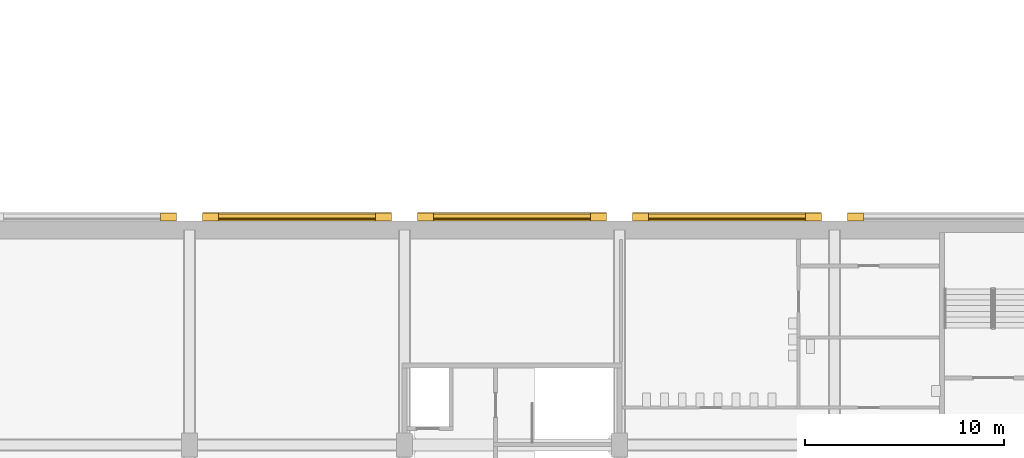
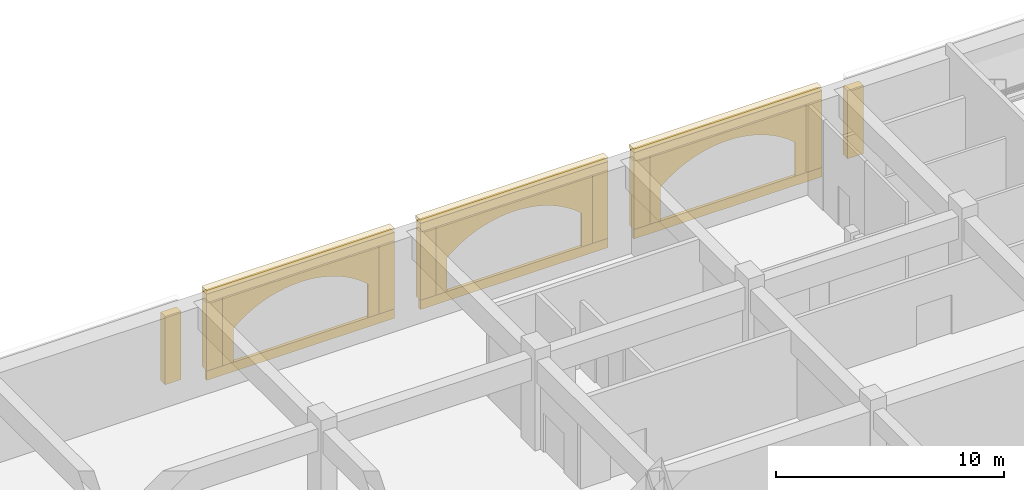
# One storey, part 98 of 101: 20 coverings.
"""IFC4 building model written with IfcOpenShell, lengths in metres."""

import ifcopenshell
import ifcopenshell.guid

model = None  # the IFC model being written
_history = None  # IfcOwnerHistory: only IFC2X3 demands one
_inside = {}  # id of a spatial element -> (the spatial element, [elements in it])
_under = {}  # id of a project, library or spatial element -> (it, [spatial elements below it])
_declared = {}  # id of a project -> (the project, [libraries it declares])
_typed = {}  # id of a type object -> (the type object, [elements of that type])
_made_of = {}  # id of a material, layer set ... -> (it, [elements and type objects made of it])


def new_model(schema):
    """Start an empty IFC model of exactly this schema.

    Asked for "IFC4X3", IfcOpenShell would pick the latest addendum, in which some entities
    have other attributes; the version numbers below select the first issue.
    IFC2X3 requires an IfcOwnerHistory on every rooted entity: one is made here for all.
    """
    global model, _history
    if schema == "IFC4X3":
        model = ifcopenshell.file(schema_version=(4, 3, 0, 0))
    else:
        model = ifcopenshell.file(schema=schema)
    _inside.clear()
    _under.clear()
    _declared.clear()
    _typed.clear()
    _made_of.clear()
    _history = None
    if model.schema == "IFC2X3":
        org = make("IfcOrganization", Name="unknown")
        user = make(
            "IfcPersonAndOrganization",
            ThePerson=make("IfcPerson", FamilyName="unknown"),
            TheOrganization=org,
        )
        app = make(
            "IfcApplication",
            ApplicationDeveloper=org,
            Version="unknown",
            ApplicationFullName="unknown",
            ApplicationIdentifier="unknown",
        )
        _history = make(
            "IfcOwnerHistory",
            OwningUser=user,
            OwningApplication=app,
            ChangeAction="ADDED",
            CreationDate=0,
        )
    return model


def make(cls, **values):
    """One entity of the class cls with the attributes given. An attribute that is None is left unset."""
    return model.create_entity(
        cls, **{name: value for name, value in values.items() if value is not None}
    )


def rooted(cls, **values):
    """An entity with a GlobalId (a new one), such as an element, a storey or a relation."""
    return make(cls, GlobalId=ifcopenshell.guid.new(), OwnerHistory=_history, **values)


def si_unit(unit_type, name, prefix=None):
    """IfcSIUnit, for example si_unit("LENGTHUNIT", "METRE", prefix="MILLI")."""
    return make("IfcSIUnit", UnitType=unit_type, Prefix=prefix, Name=name)


def assignment(units):
    """IfcUnitAssignment: the units of a project."""
    return None if units is None else make("IfcUnitAssignment", Units=units)


def point(xyz):
    """IfcCartesianPoint."""
    return None if xyz is None else make("IfcCartesianPoint", Coordinates=xyz)


def direction(xyz):
    """IfcDirection."""
    return None if xyz is None else make("IfcDirection", DirectionRatios=xyz)


def frame(location, z_axis=None, x_axis=None):
    """IfcAxis2Placement3D, a coordinate frame: its origin and axes. An axis left out is left unset."""
    return make(
        "IfcAxis2Placement3D",
        Location=point(location),
        Axis=direction(z_axis),
        RefDirection=direction(x_axis),
    )


def frame_2d(location, x_axis=None):
    """IfcAxis2Placement2D, a coordinate frame in the plane: its origin and x axis."""
    return make(
        "IfcAxis2Placement2D", Location=point(location), RefDirection=direction(x_axis)
    )


def origin():
    """The frame at (0, 0, 0) with its axes left unset."""
    return frame((0.0, 0.0, 0.0))


def origin_2d():
    """The frame at (0, 0) in the plane with its x axis left unset."""
    return frame_2d((0.0, 0.0))


def place(relative_to, where):
    """IfcLocalPlacement: puts the frame where relative to a parent placement (None: the world)."""
    return make(
        "IfcLocalPlacement", PlacementRelTo=relative_to, RelativePlacement=where
    )


def context(
    kind, dimensions, precision=None, world=None, true_north=None, identifier=None
):
    """IfcGeometricRepresentationContext, for example the 3D "Model" context."""
    return make(
        "IfcGeometricRepresentationContext",
        ContextIdentifier=identifier,
        ContextType=kind,
        CoordinateSpaceDimension=dimensions,
        Precision=precision,
        WorldCoordinateSystem=world,
        TrueNorth=true_north,
    )


def subcontext(parent, identifier, kind, view, scale=None):
    """IfcGeometricRepresentationSubContext, for example "Body" below "Model"."""
    return make(
        "IfcGeometricRepresentationSubContext",
        ContextIdentifier=identifier,
        ContextType=kind,
        ParentContext=parent,
        TargetScale=scale,
        TargetView=view,
    )


def project(units=None, contexts=None):
    """IfcProject with its units and contexts."""
    return rooted(
        "IfcProject",
        Name="project",
        RepresentationContexts=contexts,
        UnitsInContext=assignment(units),
    )


def spatial(cls, under=None, at=None, **own):
    """A site, building, storey or space (cls), placed at a placement, below another one or the project."""
    s = rooted(cls, ObjectPlacement=at, **own)
    if under is not None:
        _under.setdefault(under.id(), (under, []))[1].append(s)
    return s


def polyline(points):
    """IfcPolyline through the points."""
    return make("IfcPolyline", Points=[point(p) for p in points])


def profile(cls, at=None, kind="AREA", **sizes):
    """A parametric profile (cls). Its sizes go by their IFC names, for example OverallWidth=200.0."""
    return make(cls, ProfileType=kind, Position=at, **sizes)


def rectangle(**sizes):
    """IfcRectangleProfileDef."""
    return profile("IfcRectangleProfileDef", **sizes)


def outline(outer, holes=None, kind="AREA"):
    """IfcArbitraryClosedProfileDef: a profile drawn as a closed curve; with holes, ...WithVoids."""
    if holes is None:
        return make("IfcArbitraryClosedProfileDef", ProfileType=kind, OuterCurve=outer)
    return make(
        "IfcArbitraryProfileDefWithVoids",
        ProfileType=kind,
        OuterCurve=outer,
        InnerCurves=holes,
    )


def extrude(swept, where, along, depth):
    """IfcExtrudedAreaSolid: the profile swept, set in the frame where, extruded along a direction by depth."""
    return make(
        "IfcExtrudedAreaSolid",
        SweptArea=swept,
        Position=where,
        ExtrudedDirection=direction(along),
        Depth=depth,
    )


def shape(context_of_items, identifier, shape_type, items):
    """IfcShapeRepresentation: the items that make up one representation, for example the "Body"."""
    return make(
        "IfcShapeRepresentation",
        ContextOfItems=context_of_items,
        RepresentationIdentifier=identifier,
        RepresentationType=shape_type,
        Items=items,
    )


def material(Name=None, Category=None):
    """IfcMaterial."""
    return make("IfcMaterial", Name=Name, Category=Category)


def layer(
    of_material, thickness, ventilated=None, Name=None, Category=None, Priority=None
):
    """IfcMaterialLayer: one layer of a wall or slab, of a material (None: an air gap)."""
    return make(
        "IfcMaterialLayer",
        Material=of_material,
        LayerThickness=thickness,
        IsVentilated=ventilated,
        Name=Name,
        Category=Category,
        Priority=Priority,
    )


def layer_set(layers, Name=None):
    """IfcMaterialLayerSet."""
    return make("IfcMaterialLayerSet", MaterialLayers=layers, LayerSetName=Name)


def made_of(thing, what):
    """Note that an element or type object is made of a material, layer set ...; save() writes the relation."""
    if what is not None:
        _made_of.setdefault(what.id(), (what, []))[1].append(thing)
    return thing


def type_object(cls, material=None, **own):
    """A type object (cls), such as IfcWallType, which elements share."""
    return made_of(rooted(cls, **own), material)


def element(
    cls,
    number,
    at=None,
    inside=None,
    cuts=None,
    type_object=None,
    material=None,
    context=None,
    identifier="Body",
    shape_type=None,
    held_by="IfcProductDefinitionShape",
    body=None,
    shapes=None,
    **own,
):
    """One element of the class cls, such as IfcWall. Its Tag is "e" and its number.

    at: its placement. inside: the storey or other place that contains it. cuts: it is an
    opening in that element (IfcRelVoidsElement). A single representation is given by context,
    identifier, shape_type and body (its items); several are given by shapes. held_by: the class
    of the entity that holds the representations. save() writes the other relations.
    """
    e = rooted(cls, Tag="e%d" % number, ObjectPlacement=at, **own)
    if body is not None:
        shapes = [shape(context, identifier, shape_type, body)]
    if shapes is not None:
        e.Representation = make(held_by, Representations=shapes)
    if inside is not None:
        _inside.setdefault(inside.id(), (inside, []))[1].append(e)
    if cuts is not None:
        rooted(
            "IfcRelVoidsElement", RelatingBuildingElement=cuts, RelatedOpeningElement=e
        )
    if type_object is not None:
        _typed.setdefault(type_object.id(), (type_object, []))[1].append(e)
    return made_of(e, material)


def aggregate(whole, parts):
    """IfcRelAggregates: a whole, such as a stair, and the parts it consists of."""
    return rooted("IfcRelAggregates", RelatingObject=whole, RelatedObjects=parts)


def save(model, path):
    """Write the relations noted so far, then the file.

    IfcRelAggregates (storeys below a building ...), IfcRelContainedInSpatialStructure (elements
    in a storey), IfcRelDefinesByType, IfcRelAssociatesMaterial and IfcRelDeclares: one each for
    every whole, place, type object, material and project.
    """
    for whole, parts in _under.values():
        aggregate(whole, parts)
    for where, things in _inside.values():
        rooted(
            "IfcRelContainedInSpatialStructure",
            RelatedElements=things,
            RelatingStructure=where,
        )
    for kind, things in _typed.values():
        rooted("IfcRelDefinesByType", RelatedObjects=things, RelatingType=kind)
    for what, things in _made_of.values():
        rooted("IfcRelAssociatesMaterial", RelatedObjects=things, RelatingMaterial=what)
    for by, libraries in _declared.values():
        rooted("IfcRelDeclares", RelatingContext=by, RelatedDefinitions=libraries)
    model.write(path)


model = new_model("IFC4")

# Units and contexts
model_context = context("Model", 3, precision=1e-05, world=origin(), true_north=direction((0.0, 1.0)))
body_context = subcontext(model_context, "Body", "Model", "MODEL_VIEW")
ifc_project = project(units=[si_unit("LENGTHUNIT", "METRE"), si_unit("AREAUNIT", "SQUARE_METRE"), si_unit("VOLUMEUNIT", "CUBIC_METRE"), si_unit("PLANEANGLEUNIT", "RADIAN"), si_unit("MASSUNIT", "GRAM", prefix="KILO")], contexts=[model_context])

# Site, building, storey
site_placement = place(None, origin())
site = spatial("IfcSite", under=ifc_project, at=site_placement, CompositionType="ELEMENT")
building_placement = place(site_placement, origin())
building = spatial("IfcBuilding", under=site, at=building_placement, Name="Magnolia Steps Interchange", CompositionType="ELEMENT")
storey_placement = place(building_placement, frame((0.0, 0.0, -5.39990234375)))
storey = spatial("IfcBuildingStorey", under=building, at=storey_placement, Name="B1", CompositionType="ELEMENT", Elevation=-5.39990234375)

# Coverings
ifc_material_1 = material(Name="Lime render")
ifc_layer_1 = layer(ifc_material_1, 0.080078125)
ifc_layer_set_1 = layer_set([ifc_layer_1], Name="Lime render arch infill")
covering_type_1 = type_object("IfcCoveringType", Name="Lime render arch infill", PredefinedType="CLADDING", material=ifc_layer_set_1)
covering_1_placement = place(storey_placement, frame((141.60009765625, 75.25, 0.5), z_axis=(0.0, -1.0, 0.0), x_axis=(0.0, 0.0, 1.0)))
element("IfcCovering", 1, at=covering_1_placement, inside=storey, type_object=covering_type_1, Name="Blind arch base wall east 3.1", PredefinedType="CLADDING", context=body_context, shape_type="SweptSolid", body=[
    extrude(outline(polyline([(0.0, 0.0), (1.807861328, 0.0), (2.112792969, -0.377685547), (2.364013672, -0.755615234), (2.570800781, -1.133300781), (2.738769531, -1.510986328), (2.871826172, -1.888916016), (2.972900391, -2.266601562), (3.043701172, -2.644287109), (3.0859375, -3.022216797), (3.099853516, -3.399902344), (3.0859375, -3.777587891), (3.043701172, -4.155517578), (2.972900391, -4.533203125), (2.871826172, -4.910888672), (2.738769531, -5.288818359), (2.570800781, -5.666503906), (2.364013672, -6.044189453), (2.112792969, -6.422119141), (1.807861328, -6.799804688), (0.0, -6.799804688), (0.0, -7.349853516), (3.649902344, -7.349853516), (3.649902344, 0.550048828), (0.0, 0.550048828), (0.0, 0.0)])), origin(), (0.0, 0.0, -1.0), 0.080078125),
])
covering_2_placement = place(storey_placement, frame((152.39990234375, 75.25, 0.5), z_axis=(0.0, -1.0, 0.0), x_axis=(0.0, 0.0, 1.0)))
element("IfcCovering", 2, at=covering_2_placement, inside=storey, type_object=covering_type_1, Name="Blind arch base wall east 4.1", PredefinedType="CLADDING", context=body_context, shape_type="SweptSolid", body=[
    extrude(outline(polyline([(0.0, 0.0), (1.807861328, 0.0), (2.112792969, -0.377929688), (2.364013672, -0.755615234), (2.570800781, -1.133300781), (2.738769531, -1.511230469), (2.871826172, -1.888916016), (2.972900391, -2.266845703), (3.043701172, -2.64453125), (3.0859375, -3.022216797), (3.099853516, -3.400146484), (3.0859375, -3.777832031), (3.043701172, -4.155761719), (2.972900391, -4.533447266), (2.871826172, -4.911132812), (2.738769531, -5.2890625), (2.570800781, -5.666748047), (2.364013672, -6.044433594), (2.112792969, -6.422363281), (1.807861328, -6.800048828), (0.0, -6.800048828), (0.0, -7.350097656), (3.649902344, -7.350097656), (3.649902344, 0.549804688), (0.0, 0.549804688), (0.0, 0.0)])), origin(), (0.0, 0.0, -1.0), 0.080078125),
])
covering_3_placement = place(storey_placement, frame((163.199951171875, 75.25, 0.5), z_axis=(0.0, -1.0, 0.0), x_axis=(0.0, 0.0, 1.0)))
element("IfcCovering", 3, at=covering_3_placement, inside=storey, type_object=covering_type_1, Name="Blind arch base wall east 5.1", PredefinedType="CLADDING", context=body_context, shape_type="SweptSolid", body=[
    extrude(outline(polyline([(0.0, 0.0), (1.807861328, 0.0), (2.112792969, -0.377929688), (2.364013672, -0.755615234), (2.570800781, -1.133300781), (2.738769531, -1.511230469), (2.871826172, -1.888916016), (2.972900391, -2.266845703), (3.043701172, -2.64453125), (3.0859375, -3.022216797), (3.099853516, -3.400146484), (3.0859375, -3.777832031), (3.043701172, -4.155761719), (2.972900391, -4.533447266), (2.871826172, -4.911132812), (2.738769531, -5.2890625), (2.570800781, -5.666748047), (2.364013672, -6.044433594), (2.112792969, -6.422363281), (1.807861328, -6.800048828), (0.0, -6.800048828), (0.0, -7.350097656), (3.649902344, -7.350097656), (3.649902344, 0.550048828), (0.0, 0.550048828), (0.0, 0.0)])), origin(), (0.0, 0.0, -1.0), 0.080078125),
])
ifc_material_2 = material(Name="Lime render")
ifc_layer_2 = layer(ifc_material_2, 0.1201171875)
ifc_layer_set_2 = layer_set([ifc_layer_2], Name="Lime render band")
covering_type_2 = type_object("IfcCoveringType", Name="Lime render band", PredefinedType="CLADDING", material=ifc_layer_set_2)
covering_4_placement = place(storey_placement, frame((145.0, 75.324951171875, 0.0), z_axis=(0.0, 0.0, 1.0), x_axis=(1.0, 0.0, 0.0)))
element("IfcCovering", 4, at=covering_4_placement, inside=storey, type_object=covering_type_2, Name="Plinth course base wall east 3", PredefinedType="CLADDING", context=body_context, shape_type="SweptSolid", body=[
    extrude(rectangle(XDim=9.5, YDim=0.14990234375, at=origin_2d()), origin(), (0.0, 0.0, 1.0), 0.5),
])
covering_5_placement = place(storey_placement, frame((145.0, 75.425048828125, 4.14990234375), z_axis=(0.0, 0.0, 1.0), x_axis=(1.0, 0.0, 0.0)))
element("IfcCovering", 5, at=covering_5_placement, inside=storey, type_object=covering_type_2, Name="Cornice base wall east 3", PredefinedType="CLADDING", context=body_context, shape_type="SweptSolid", body=[
    extrude(rectangle(XDim=9.5, YDim=0.35009765625, at=origin_2d()), origin(), (0.0, 0.0, 1.0), 0.449951171875),
])
covering_6_placement = place(storey_placement, frame((145.0, 75.4599609375, 4.60009765625), z_axis=(0.0, 0.0, 1.0), x_axis=(1.0, 0.0, 0.0)))
element("IfcCovering", 6, at=covering_6_placement, inside=storey, type_object=covering_type_2, Name="Coping base wall east 3", PredefinedType="CLADDING", context=body_context, shape_type="SweptSolid", body=[
    extrude(rectangle(XDim=9.5, YDim=0.419921875, at=origin_2d()), origin(), (0.0, 0.0, 1.0), 0.199951171875),
])
covering_7_placement = place(storey_placement, frame((155.800048828125, 75.324951171875, 0.0), z_axis=(0.0, 0.0, 1.0), x_axis=(1.0, 0.0, 0.0)))
element("IfcCovering", 7, at=covering_7_placement, inside=storey, type_object=covering_type_2, Name="Plinth course base wall east 4", PredefinedType="CLADDING", context=body_context, shape_type="SweptSolid", body=[
    extrude(rectangle(XDim=9.5, YDim=0.14990234375, at=origin_2d()), origin(), (0.0, 0.0, 1.0), 0.5),
])
covering_8_placement = place(storey_placement, frame((155.800048828125, 75.425048828125, 4.14990234375), z_axis=(0.0, 0.0, 1.0), x_axis=(1.0, 0.0, 0.0)))
element("IfcCovering", 8, at=covering_8_placement, inside=storey, type_object=covering_type_2, Name="Cornice base wall east 4", PredefinedType="CLADDING", context=body_context, shape_type="SweptSolid", body=[
    extrude(rectangle(XDim=9.5, YDim=0.35009765625, at=origin_2d()), origin(), (0.0, 0.0, 1.0), 0.449951171875),
])
covering_9_placement = place(storey_placement, frame((155.800048828125, 75.4599609375, 4.60009765625), z_axis=(0.0, 0.0, 1.0), x_axis=(1.0, 0.0, 0.0)))
element("IfcCovering", 9, at=covering_9_placement, inside=storey, type_object=covering_type_2, Name="Coping base wall east 4", PredefinedType="CLADDING", context=body_context, shape_type="SweptSolid", body=[
    extrude(rectangle(XDim=9.5, YDim=0.419921875, at=origin_2d()), origin(), (0.0, 0.0, 1.0), 0.199951171875),
])
covering_10_placement = place(storey_placement, frame((166.60009765625, 75.324951171875, 0.0), z_axis=(0.0, 0.0, 1.0), x_axis=(1.0, 0.0, 0.0)))
element("IfcCovering", 10, at=covering_10_placement, inside=storey, type_object=covering_type_2, Name="Plinth course base wall east 5", PredefinedType="CLADDING", context=body_context, shape_type="SweptSolid", body=[
    extrude(rectangle(XDim=9.5, YDim=0.14990234375, at=origin_2d()), origin(), (0.0, 0.0, 1.0), 0.5),
])
covering_11_placement = place(storey_placement, frame((166.60009765625, 75.425048828125, 4.14990234375), z_axis=(0.0, 0.0, 1.0), x_axis=(1.0, 0.0, 0.0)))
element("IfcCovering", 11, at=covering_11_placement, inside=storey, type_object=covering_type_2, Name="Cornice base wall east 5", PredefinedType="CLADDING", context=body_context, shape_type="SweptSolid", body=[
    extrude(rectangle(XDim=9.5, YDim=0.35009765625, at=origin_2d()), origin(), (0.0, 0.0, 1.0), 0.449951171875),
])
covering_12_placement = place(storey_placement, frame((166.60009765625, 75.4599609375, 4.60009765625), z_axis=(0.0, 0.0, 1.0), x_axis=(1.0, 0.0, 0.0)))
element("IfcCovering", 12, at=covering_12_placement, inside=storey, type_object=covering_type_2, Name="Coping base wall east 5", PredefinedType="CLADDING", context=body_context, shape_type="SweptSolid", body=[
    extrude(rectangle(XDim=9.5, YDim=0.419921875, at=origin_2d()), origin(), (0.0, 0.0, 1.0), 0.199951171875),
])
ifc_material_3 = material(Name="Lime render")
ifc_layer_3 = layer(ifc_material_3, 0.39990234375)
ifc_layer_set_3 = layer_set([ifc_layer_3], Name="Lime render pilaster")
covering_type_3 = type_object("IfcCoveringType", Name="Lime render pilaster", PredefinedType="CLADDING", material=ifc_layer_set_3)
for number, where, z_axis, x_axis, name in (
    (13, (138.550048828125, 75.449951171875, 0.5), (0.0, 0.0, 1.0), (1.0, 0.0, 0.0), "Pilaster base wall east 2.2"),
    (14, (140.64990234375, 75.449951171875, 0.5), (0.0, 0.0, 1.0), (1.0, 0.0, 0.0), "Pilaster base wall east 3.1"),
    (15, (149.35009765625, 75.449951171875, 0.5), (0.0, 0.0, 1.0), (1.0, 0.0, 0.0), "Pilaster base wall east 3.2"),
    (16, (151.449951171875, 75.449951171875, 0.5), (0.0, 0.0, 1.0), (1.0, 0.0, 0.0), "Pilaster base wall east 4.1"),
    (17, (160.14990234375, 75.449951171875, 0.5), (0.0, 0.0, 1.0), (1.0, 0.0, 0.0), "Pilaster base wall east 4.2"),
    (18, (162.25, 75.449951171875, 0.5), (0.0, 0.0, 1.0), (1.0, 0.0, 0.0), "Pilaster base wall east 5.1"),
    (19, (170.949951171875, 75.449951171875, 0.5), (0.0, 0.0, 1.0), (1.0, 0.0, 0.0), "Pilaster base wall east 5.2"),
    (20, (173.050048828125, 75.449951171875, 0.5), (0.0, 0.0, 1.0), (1.0, 0.0, 0.0), "Pilaster base wall east 6.1"),
):
    element("IfcCovering", number, at=place(storey_placement, frame(where, z_axis=z_axis, x_axis=x_axis)), inside=storey, type_object=covering_type_3, Name=name, PredefinedType="CLADDING", context=body_context, shape_type="SweptSolid", body=[
        extrude(rectangle(XDim=0.800048828125, YDim=0.39990234375, at=origin_2d()), origin(), (0.0, 0.0, 1.0), 3.64990234375),
    ])

save(model, "model.ifc")
